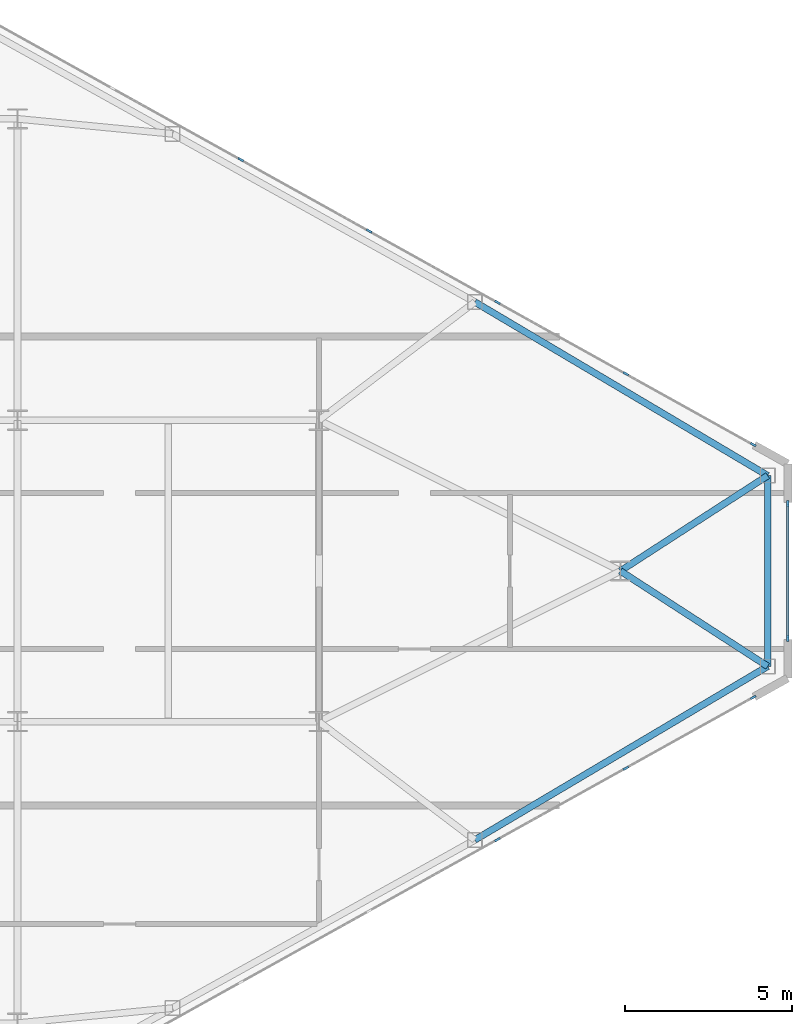
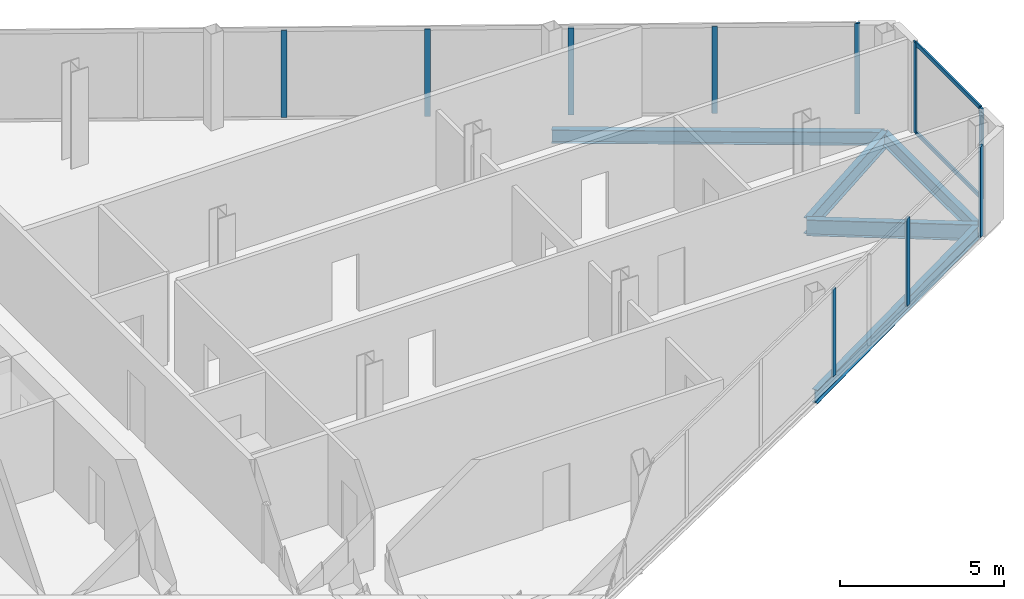
# One storey, part 17 of 26: 12 members, 5 beams, 3 elements without a shape of their own.
"""IFC4 building model written with IfcOpenShell, lengths in metres."""

import ifcopenshell
import ifcopenshell.guid

model = None  # the IFC model being written
_history = None  # IfcOwnerHistory: only IFC2X3 demands one
_inside = {}  # id of a spatial element -> (the spatial element, [elements in it])
_under = {}  # id of a project, library or spatial element -> (it, [spatial elements below it])
_declared = {}  # id of a project -> (the project, [libraries it declares])
_typed = {}  # id of a type object -> (the type object, [elements of that type])
_made_of = {}  # id of a material, layer set ... -> (it, [elements and type objects made of it])


def new_model(schema):
    """Start an empty IFC model of exactly this schema.

    Asked for "IFC4X3", IfcOpenShell would pick the latest addendum, in which some entities
    have other attributes; the version numbers below select the first issue.
    IFC2X3 requires an IfcOwnerHistory on every rooted entity: one is made here for all.
    """
    global model, _history
    if schema == "IFC4X3":
        model = ifcopenshell.file(schema_version=(4, 3, 0, 0))
    else:
        model = ifcopenshell.file(schema=schema)
    _inside.clear()
    _under.clear()
    _declared.clear()
    _typed.clear()
    _made_of.clear()
    _history = None
    if model.schema == "IFC2X3":
        org = make("IfcOrganization", Name="unknown")
        user = make(
            "IfcPersonAndOrganization",
            ThePerson=make("IfcPerson", FamilyName="unknown"),
            TheOrganization=org,
        )
        app = make(
            "IfcApplication",
            ApplicationDeveloper=org,
            Version="unknown",
            ApplicationFullName="unknown",
            ApplicationIdentifier="unknown",
        )
        _history = make(
            "IfcOwnerHistory",
            OwningUser=user,
            OwningApplication=app,
            ChangeAction="ADDED",
            CreationDate=0,
        )
    return model


def make(cls, **values):
    """One entity of the class cls with the attributes given. An attribute that is None is left unset."""
    return model.create_entity(
        cls, **{name: value for name, value in values.items() if value is not None}
    )


def rooted(cls, **values):
    """An entity with a GlobalId (a new one), such as an element, a storey or a relation."""
    return make(cls, GlobalId=ifcopenshell.guid.new(), OwnerHistory=_history, **values)


def si_unit(unit_type, name, prefix=None):
    """IfcSIUnit, for example si_unit("LENGTHUNIT", "METRE", prefix="MILLI")."""
    return make("IfcSIUnit", UnitType=unit_type, Prefix=prefix, Name=name)


def assignment(units):
    """IfcUnitAssignment: the units of a project."""
    return None if units is None else make("IfcUnitAssignment", Units=units)


def point(xyz):
    """IfcCartesianPoint."""
    return None if xyz is None else make("IfcCartesianPoint", Coordinates=xyz)


def direction(xyz):
    """IfcDirection."""
    return None if xyz is None else make("IfcDirection", DirectionRatios=xyz)


def frame(location, z_axis=None, x_axis=None):
    """IfcAxis2Placement3D, a coordinate frame: its origin and axes. An axis left out is left unset."""
    return make(
        "IfcAxis2Placement3D",
        Location=point(location),
        Axis=direction(z_axis),
        RefDirection=direction(x_axis),
    )


def frame_2d(location, x_axis=None):
    """IfcAxis2Placement2D, a coordinate frame in the plane: its origin and x axis."""
    return make(
        "IfcAxis2Placement2D", Location=point(location), RefDirection=direction(x_axis)
    )


def origin():
    """The frame at (0, 0, 0) with its axes left unset."""
    return frame((0.0, 0.0, 0.0))


def origin_2d():
    """The frame at (0, 0) in the plane with its x axis left unset."""
    return frame_2d((0.0, 0.0))


def place(relative_to, where):
    """IfcLocalPlacement: puts the frame where relative to a parent placement (None: the world)."""
    return make(
        "IfcLocalPlacement", PlacementRelTo=relative_to, RelativePlacement=where
    )


def context(
    kind, dimensions, precision=None, world=None, true_north=None, identifier=None
):
    """IfcGeometricRepresentationContext, for example the 3D "Model" context."""
    return make(
        "IfcGeometricRepresentationContext",
        ContextIdentifier=identifier,
        ContextType=kind,
        CoordinateSpaceDimension=dimensions,
        Precision=precision,
        WorldCoordinateSystem=world,
        TrueNorth=true_north,
    )


def subcontext(parent, identifier, kind, view, scale=None):
    """IfcGeometricRepresentationSubContext, for example "Body" below "Model"."""
    return make(
        "IfcGeometricRepresentationSubContext",
        ContextIdentifier=identifier,
        ContextType=kind,
        ParentContext=parent,
        TargetScale=scale,
        TargetView=view,
    )


def project(units=None, contexts=None):
    """IfcProject with its units and contexts."""
    return rooted(
        "IfcProject",
        Name="project",
        RepresentationContexts=contexts,
        UnitsInContext=assignment(units),
    )


def spatial(cls, under=None, at=None, **own):
    """A site, building, storey or space (cls), placed at a placement, below another one or the project."""
    s = rooted(cls, ObjectPlacement=at, **own)
    if under is not None:
        _under.setdefault(under.id(), (under, []))[1].append(s)
    return s


def profile(cls, at=None, kind="AREA", **sizes):
    """A parametric profile (cls). Its sizes go by their IFC names, for example OverallWidth=200.0."""
    return make(cls, ProfileType=kind, Position=at, **sizes)


def rectangle(**sizes):
    """IfcRectangleProfileDef."""
    return profile("IfcRectangleProfileDef", **sizes)


def i_section(**sizes):
    """IfcIShapeProfileDef."""
    return profile("IfcIShapeProfileDef", **sizes)


def extrude(swept, where, along, depth):
    """IfcExtrudedAreaSolid: the profile swept, set in the frame where, extruded along a direction by depth."""
    return make(
        "IfcExtrudedAreaSolid",
        SweptArea=swept,
        Position=where,
        ExtrudedDirection=direction(along),
        Depth=depth,
    )


def shape(context_of_items, identifier, shape_type, items):
    """IfcShapeRepresentation: the items that make up one representation, for example the "Body"."""
    return make(
        "IfcShapeRepresentation",
        ContextOfItems=context_of_items,
        RepresentationIdentifier=identifier,
        RepresentationType=shape_type,
        Items=items,
    )


def source(mapping_origin, context_of_items, identifier, shape_type, items):
    """IfcRepresentationMap: a shape defined once, which mapped items show again and again."""
    return make(
        "IfcRepresentationMap",
        MappingOrigin=mapping_origin,
        MappedRepresentation=shape(context_of_items, identifier, shape_type, items),
    )


def transform(
    local_origin,
    x_axis=None,
    y_axis=None,
    z_axis=None,
    scale=None,
    scale2=None,
    scale3=None,
    uniform=True,
):
    """IfcCartesianTransformationOperator3D, or its non-uniform kind. x_axis, y_axis, z_axis: its Axis1, 2, 3."""
    if uniform:
        return make(
            "IfcCartesianTransformationOperator3D",
            Axis1=direction(x_axis),
            Axis2=direction(y_axis),
            LocalOrigin=point(local_origin),
            Scale=scale,
            Axis3=direction(z_axis),
        )
    return make(
        "IfcCartesianTransformationOperator3DnonUniform",
        Axis1=direction(x_axis),
        Axis2=direction(y_axis),
        LocalOrigin=point(local_origin),
        Scale=scale,
        Axis3=direction(z_axis),
        Scale2=scale2,
        Scale3=scale3,
    )


def mapped(mapping_source, mapping_target):
    """IfcMappedItem: shows the shape of a source again, moved by a transform."""
    return make(
        "IfcMappedItem", MappingSource=mapping_source, MappingTarget=mapping_target
    )


def material(Name=None, Category=None):
    """IfcMaterial."""
    return make("IfcMaterial", Name=Name, Category=Category)


def layer(
    of_material, thickness, ventilated=None, Name=None, Category=None, Priority=None
):
    """IfcMaterialLayer: one layer of a wall or slab, of a material (None: an air gap)."""
    return make(
        "IfcMaterialLayer",
        Material=of_material,
        LayerThickness=thickness,
        IsVentilated=ventilated,
        Name=Name,
        Category=Category,
        Priority=Priority,
    )


def layer_set(layers, Name=None):
    """IfcMaterialLayerSet."""
    return make("IfcMaterialLayerSet", MaterialLayers=layers, LayerSetName=Name)


def material_profile(
    of_material, cross_section, Name=None, Category=None, Priority=None
):
    """IfcMaterialProfile: a cross section and its material."""
    return make(
        "IfcMaterialProfile",
        Name=Name,
        Material=of_material,
        Profile=cross_section,
        Priority=Priority,
        Category=Category,
    )


def profile_set(profiles, Name=None, composite=None):
    """IfcMaterialProfileSet."""
    return make(
        "IfcMaterialProfileSet",
        Name=Name,
        MaterialProfiles=profiles,
        CompositeProfile=composite,
    )


def made_of(thing, what):
    """Note that an element or type object is made of a material, layer set ...; save() writes the relation."""
    if what is not None:
        _made_of.setdefault(what.id(), (what, []))[1].append(thing)
    return thing


def type_object(cls, material=None, **own):
    """A type object (cls), such as IfcWallType, which elements share."""
    return made_of(rooted(cls, **own), material)


def type_shapes(of_type, sources):
    """Give a type object the sources (RepresentationMaps) that its elements show as mapped items."""
    of_type.RepresentationMaps = sources


def element(
    cls,
    number,
    at=None,
    inside=None,
    cuts=None,
    type_object=None,
    material=None,
    context=None,
    identifier="Body",
    shape_type=None,
    held_by="IfcProductDefinitionShape",
    body=None,
    shapes=None,
    **own,
):
    """One element of the class cls, such as IfcWall. Its Tag is "e" and its number.

    at: its placement. inside: the storey or other place that contains it. cuts: it is an
    opening in that element (IfcRelVoidsElement). A single representation is given by context,
    identifier, shape_type and body (its items); several are given by shapes. held_by: the class
    of the entity that holds the representations. save() writes the other relations.
    """
    e = rooted(cls, Tag="e%d" % number, ObjectPlacement=at, **own)
    if body is not None:
        shapes = [shape(context, identifier, shape_type, body)]
    if shapes is not None:
        e.Representation = make(held_by, Representations=shapes)
    if inside is not None:
        _inside.setdefault(inside.id(), (inside, []))[1].append(e)
    if cuts is not None:
        rooted(
            "IfcRelVoidsElement", RelatingBuildingElement=cuts, RelatedOpeningElement=e
        )
    if type_object is not None:
        _typed.setdefault(type_object.id(), (type_object, []))[1].append(e)
    return made_of(e, material)


def aggregate(whole, parts):
    """IfcRelAggregates: a whole, such as a stair, and the parts it consists of."""
    return rooted("IfcRelAggregates", RelatingObject=whole, RelatedObjects=parts)


def save(model, path):
    """Write the relations noted so far, then the file.

    IfcRelAggregates (storeys below a building ...), IfcRelContainedInSpatialStructure (elements
    in a storey), IfcRelDefinesByType, IfcRelAssociatesMaterial and IfcRelDeclares: one each for
    every whole, place, type object, material and project.
    """
    for whole, parts in _under.values():
        aggregate(whole, parts)
    for where, things in _inside.values():
        rooted(
            "IfcRelContainedInSpatialStructure",
            RelatedElements=things,
            RelatingStructure=where,
        )
    for kind, things in _typed.values():
        rooted("IfcRelDefinesByType", RelatedObjects=things, RelatingType=kind)
    for what, things in _made_of.values():
        rooted("IfcRelAssociatesMaterial", RelatedObjects=things, RelatingMaterial=what)
    for by, libraries in _declared.values():
        rooted("IfcRelDeclares", RelatingContext=by, RelatedDefinitions=libraries)
    model.write(path)


model = new_model("IFC4")

# Units and contexts
model_context = context("Model", 3, precision=1e-05, world=origin(), true_north=direction((0.0, 1.0)))
body_context = subcontext(model_context, "Body", "Model", "MODEL_VIEW")
ifc_project = project(units=[si_unit("LENGTHUNIT", "METRE"), si_unit("AREAUNIT", "SQUARE_METRE"), si_unit("VOLUMEUNIT", "CUBIC_METRE"), si_unit("PLANEANGLEUNIT", "RADIAN"), si_unit("MASSUNIT", "GRAM", prefix="KILO")], contexts=[model_context])

# Site, building, storey
site_placement = place(None, origin())
site = spatial("IfcSite", under=ifc_project, at=site_placement, CompositionType="ELEMENT")
building_placement = place(site_placement, origin())
building = spatial("IfcBuilding", under=site, at=building_placement, Name="Seokmaru Belvedere", CompositionType="ELEMENT")
storey_placement = place(building_placement, frame((0.0, 0.0, 174.300048828125)))
storey = spatial("IfcBuildingStorey", under=building, at=storey_placement, Name="L46", CompositionType="ELEMENT", Elevation=174.300048828125)

# Beams
ifc_material_1 = material(Name="Steel SM355 (355 MPa)", Category="steel")
ifc_material_profile_1 = material_profile(ifc_material_1, i_section(OverallWidth=0.199951171875, OverallDepth=0.5, WebThickness=0.010009765625, FlangeThickness=0.01611328125, at=origin_2d()), Name="H-500x200x10x16")
ifc_profile_set_1 = profile_set([ifc_material_profile_1], Name="Steel SM355 (355 MPa)")
beam_type_1 = type_object("IfcBeamType", Name="Perimeter Spandrel Beam H-500", PredefinedType="SPANDREL", material=ifc_profile_set_1)
shared_shape_1 = source(origin(), body_context, "Body", "SweptSolid", [
    extrude(i_section(OverallWidth=0.199951171875, OverallDepth=0.5, WebThickness=0.010009765625, FlangeThickness=0.01611328125, at=origin_2d()), origin(), (0.0, 0.0, 1.0), 10.16650390625),
])
for number, where, z_axis, x_axis, name in (
    (1, (59.154541015625, -8.031494140625, -0.469970703125), (0.860209996506, 0.509939959124, 0.0), (-0.509939959124, 0.860209996506, 0.0), "L46 E Faceted Flank Spandrel S-4"),
    (2, (59.154541015625, 8.031494140625, -0.469970703125), (0.860209996506, -0.509939959124, 0.0), (0.509939959124, 0.860209996506, 0.0), "L46 E Faceted Flank Spandrel N-4"),
):
    element("IfcBeam", number, at=place(storey_placement, frame(where, z_axis=z_axis, x_axis=x_axis)), inside=storey, type_object=beam_type_1, Name=name, PredefinedType="SPANDREL", context=body_context, shape_type="MappedRepresentation", body=[
        mapped(shared_shape_1, transform((0.0, 0.0, 0.0), scale=1.0)),
    ])
shared_shape_2 = source(origin(), body_context, "Body", "SweptSolid", [
    extrude(i_section(OverallWidth=0.199951171875, OverallDepth=0.5, WebThickness=0.010009765625, FlangeThickness=0.01611328125, at=origin_2d()), origin(), (0.0, 0.0, 1.0), 5.6943359375),
])
type_shapes(beam_type_1, [shared_shape_1, shared_shape_2])
beam_placement = place(storey_placement, frame((67.89990234375, -2.84716796875, -0.469970703125), z_axis=(0.0, 1.0, 0.0), x_axis=(-1.0, 0.0, 0.0)))
element("IfcBeam", 3, at=beam_placement, inside=storey, type_object=beam_type_1, Name="L46 E Faceted Apex Spandrel", PredefinedType="SPANDREL", context=body_context, shape_type="MappedRepresentation", body=[
    mapped(shared_shape_2, transform((0.0, 0.0, 0.0), scale=1.0)),
])
ifc_material_profile_2 = material_profile(ifc_material_1, i_section(OverallWidth=0.199951171875, OverallDepth=0.60009765625, WebThickness=0.010986328125, FlangeThickness=0.01708984375, at=origin_2d()), Name="H-600x200x11x17")
ifc_profile_set_2 = profile_set([ifc_material_profile_2], Name="Steel SM355 (355 MPa)")
beam_type_2 = type_object("IfcBeamType", Name="Primary Floor Girder H-600", PredefinedType="BEAM", material=ifc_profile_set_2)
shared_shape_3 = source(origin(), body_context, "Body", "SweptSolid", [
    extrude(i_section(OverallWidth=0.199951171875, OverallDepth=0.60009765625, WebThickness=0.010986328125, FlangeThickness=0.01708984375, at=origin_2d()), origin(), (0.0, 0.0, 1.0), 5.24072265625),
])
type_shapes(beam_type_2, [shared_shape_3])
for number, where, z_axis, x_axis, name in (
    (4, (67.89990234375, -2.84716796875, -0.52001953125), (-0.839555158729, 0.543274456836, 0.0), (-0.543274456836, -0.839555158729, 0.0), "L46 E Apex Radial Floor Girder 1"),
    (5, (67.89990234375, 2.84716796875, -0.52001953125), (-0.839555158729, -0.543274456836, 0.0), (0.543274456836, -0.839555158729, 0.0), "L46 E Apex Radial Floor Girder 2"),
):
    element("IfcBeam", number, at=place(storey_placement, frame(where, z_axis=z_axis, x_axis=x_axis)), inside=storey, type_object=beam_type_2, Name=name, PredefinedType="BEAM", context=body_context, shape_type="MappedRepresentation", body=[
        mapped(shared_shape_3, transform((0.0, 0.0, 0.0), scale=1.0)),
    ])

# Curtain wall, members
ifc_material_2 = material(Name="Bronze Triple Insulating Glass", Category="glass")
ifc_layer = layer(ifc_material_2, 0.179931640625)
ifc_layer_set = layer_set([ifc_layer], Name="Bronze Triple Insulating Glass")
curtain_wall_type = type_object("IfcCurtainWallType", Name="High-Rise Wind-Corner Curtain Wall System CW-5", PredefinedType="NOTDEFINED", material=ifc_layer_set)
curtain_wall_1_placement = place(storey_placement, origin())
curtain_wall_1 = element("IfcCurtainWall", 6, at=curtain_wall_1_placement, inside=storey, type_object=curtain_wall_type, Name="L46 Curtain Wall EF2", PredefinedType="NOTDEFINED")
ifc_material_3 = material(Name="Anodised Bronze Aluminium", Category="aluminium")
ifc_material_profile_3 = material_profile(ifc_material_3, rectangle(XDim=0.06494140625, YDim=0.14990234375, at=origin_2d()), Name="CW-T-65x150")
ifc_profile_set_3 = profile_set([ifc_material_profile_3], Name="Anodised Bronze Aluminium")
member_type_1 = type_object("IfcMemberType", Name="Bronze Unitised Transom 65x150", PredefinedType="USERDEFINED", material=ifc_profile_set_3)
shared_shape_4 = source(origin(), body_context, "Body", "SweptSolid", [
    extrude(rectangle(XDim=0.06494140625, YDim=0.14990234375, at=origin_2d()), origin(), (0.0, 0.0, 1.0), 3.97021484375),
])
type_shapes(member_type_1, [shared_shape_4])
member_1_placement = place(storey_placement, frame((68.5, -1.985107421875, 0.032470703125), z_axis=(0.0, 1.0, 0.0), x_axis=(-1.0, 0.0, 0.0)))
member_1 = element("IfcMember", 7, at=member_1_placement, type_object=member_type_1, Name="CW:L46:EF2 Continuous Transom 1", ObjectType="TRANSOM", PredefinedType="USERDEFINED", context=body_context, shape_type="MappedRepresentation", body=[
    mapped(shared_shape_4, transform((0.0, 0.0, 0.0), scale=1.0)),
])
member_2_placement = place(storey_placement, frame((68.5, -1.985107421875, 3.347412109375), z_axis=(0.0, 1.0, 0.0), x_axis=(-1.0, 0.0, 0.0)))
member_2 = element("IfcMember", 8, at=member_2_placement, type_object=member_type_1, Name="CW:L46:EF2 Continuous Transom 2", ObjectType="TRANSOM", PredefinedType="USERDEFINED", context=body_context, shape_type="MappedRepresentation", body=[
    mapped(shared_shape_4, transform((0.0, 0.0, 0.0), scale=1.0)),
])

# Curtain wall, member
curtain_wall_2_placement = place(storey_placement, origin())
curtain_wall_2 = element("IfcCurtainWall", 9, at=curtain_wall_2_placement, inside=storey, type_object=curtain_wall_type, Name="L46 Curtain Wall EF1", PredefinedType="NOTDEFINED")
ifc_material_profile_4 = material_profile(ifc_material_3, rectangle(XDim=0.06494140625, YDim=0.179931640625, at=origin_2d()), Name="CW-M-65x180")
ifc_profile_set_4 = profile_set([ifc_material_profile_4], Name="Anodised Bronze Aluminium")
member_type_2 = type_object("IfcMemberType", Name="Bronze Unitised Mullion 65x180", PredefinedType="MULLION", material=ifc_profile_set_4)
shared_shape_5 = source(origin(), body_context, "Body", "SweptSolid", [
    extrude(rectangle(XDim=0.06494140625, YDim=0.179931640625, at=origin_2d()), origin(), (0.0, 0.0, 1.0), 3.3798828125),
])
member_3_placement = place(storey_placement, frame((67.466552734375, -3.77490234375, 0.0), z_axis=(0.0, 0.0, 1.0), x_axis=(-0.486047125147, 0.873932601598, 0.0)))
member_3 = element("IfcMember", 10, at=member_3_placement, type_object=member_type_2, Name="CW:L46:EF1 Mullion 10", PredefinedType="MULLION", context=body_context, shape_type="MappedRepresentation", body=[
    mapped(shared_shape_5, transform((0.0, 0.0, 0.0), scale=1.0)),
])

# Member
member_4_placement = place(storey_placement, frame((68.5, -2.017578125, 0.0), z_axis=(0.0, 0.0, 1.0), x_axis=(-1.0, 0.0, 0.0)))
member_4 = element("IfcMember", 11, at=member_4_placement, type_object=member_type_2, Name="CW:L46:EF2 Mullion 1", PredefinedType="MULLION", context=body_context, shape_type="MappedRepresentation", body=[
    mapped(shared_shape_5, transform((0.0, 0.0, 0.0), scale=1.0)),
])

member_5_placement = place(storey_placement, frame((68.5, 2.017578125, 0.0), z_axis=(0.0, 0.0, 1.0), x_axis=(-1.0, 0.0, 0.0)))
member_5 = element("IfcMember", 12, at=member_5_placement, type_object=member_type_2, Name="CW:L46:EF2 Mullion 2", PredefinedType="MULLION", context=body_context, shape_type="MappedRepresentation", body=[
    mapped(shared_shape_5, transform((0.0, 0.0, 0.0), scale=1.0)),
])

aggregate(curtain_wall_1, [member_4, member_5, member_1, member_2])

# Curtain wall, member
curtain_wall_3_placement = place(storey_placement, origin())
curtain_wall_3 = element("IfcCurtainWall", 13, at=curtain_wall_3_placement, inside=storey, type_object=curtain_wall_type, Name="L46 Curtain Wall EF3", PredefinedType="NOTDEFINED")
member_6_placement = place(storey_placement, frame((67.466552734375, 3.77490234375, 0.0), z_axis=(0.0, 0.0, 1.0), x_axis=(-0.486047125147, -0.873932601598, 0.0)))
member_6 = element("IfcMember", 14, at=member_6_placement, type_object=member_type_2, Name="CW:L46:EF3 Mullion 1", PredefinedType="MULLION", context=body_context, shape_type="MappedRepresentation", body=[
    mapped(shared_shape_5, transform((0.0, 0.0, 0.0), scale=1.0)),
])

# Member
shared_shape_6 = source(origin(), body_context, "Body", "SweptSolid", [
    extrude(rectangle(XDim=0.06494140625, YDim=0.179931640625, at=origin_2d()), origin(), (0.0, 0.0, 1.0), 3.25),
])
type_shapes(member_type_2, [shared_shape_5, shared_shape_6])
member_7_placement = place(storey_placement, frame((59.83056640625, -8.021728515625, 0.06494140625), z_axis=(0.0, 0.0, 1.0), x_axis=(-0.486047125147, 0.873932601598, 0.0)))
member_7 = element("IfcMember", 15, at=member_7_placement, type_object=member_type_2, Name="CW:L46:EF1 Mullion 8", PredefinedType="MULLION", context=body_context, shape_type="MappedRepresentation", body=[
    mapped(shared_shape_6, transform((0.0, 0.0, 0.0), scale=1.0)),
])

member_8_placement = place(storey_placement, frame((63.662841796875, -5.890380859375, 0.06494140625), z_axis=(0.0, 0.0, 1.0), x_axis=(-0.486047125147, 0.873932601598, 0.0)))
member_8 = element("IfcMember", 16, at=member_8_placement, type_object=member_type_2, Name="CW:L46:EF1 Mullion 9", PredefinedType="MULLION", context=body_context, shape_type="MappedRepresentation", body=[
    mapped(shared_shape_6, transform((0.0, 0.0, 0.0), scale=1.0)),
])

aggregate(curtain_wall_2, [member_7, member_8, member_3])

member_9_placement = place(storey_placement, frame((63.662841796875, 5.890380859375, 0.06494140625), z_axis=(0.0, 0.0, 1.0), x_axis=(-0.486047125147, -0.873932601598, 0.0)))
member_9 = element("IfcMember", 17, at=member_9_placement, type_object=member_type_2, Name="CW:L46:EF3 Mullion 2", PredefinedType="MULLION", context=body_context, shape_type="MappedRepresentation", body=[
    mapped(shared_shape_6, transform((0.0, 0.0, 0.0), scale=1.0)),
])

member_10_placement = place(storey_placement, frame((59.83056640625, 8.021728515625, 0.06494140625), z_axis=(0.0, 0.0, 1.0), x_axis=(-0.486047125147, -0.873932601598, 0.0)))
member_10 = element("IfcMember", 18, at=member_10_placement, type_object=member_type_2, Name="CW:L46:EF3 Mullion 3", PredefinedType="MULLION", context=body_context, shape_type="MappedRepresentation", body=[
    mapped(shared_shape_6, transform((0.0, 0.0, 0.0), scale=1.0)),
])

member_11_placement = place(storey_placement, frame((55.998291015625, 10.153076171875, 0.06494140625), z_axis=(0.0, 0.0, 1.0), x_axis=(-0.486047125147, -0.873932601598, 0.0)))
member_11 = element("IfcMember", 19, at=member_11_placement, type_object=member_type_2, Name="CW:L46:EF3 Mullion 4", PredefinedType="MULLION", context=body_context, shape_type="MappedRepresentation", body=[
    mapped(shared_shape_6, transform((0.0, 0.0, 0.0), scale=1.0)),
])

member_12_placement = place(storey_placement, frame((52.166015625, 12.2841796875, 0.06494140625), z_axis=(0.0, 0.0, 1.0), x_axis=(-0.486047125147, -0.873932601598, 0.0)))
member_12 = element("IfcMember", 20, at=member_12_placement, type_object=member_type_2, Name="CW:L46:EF3 Mullion 5", PredefinedType="MULLION", context=body_context, shape_type="MappedRepresentation", body=[
    mapped(shared_shape_6, transform((0.0, 0.0, 0.0), scale=1.0)),
])

aggregate(curtain_wall_3, [member_6, member_9, member_10, member_11, member_12])

save(model, "model.ifc")
